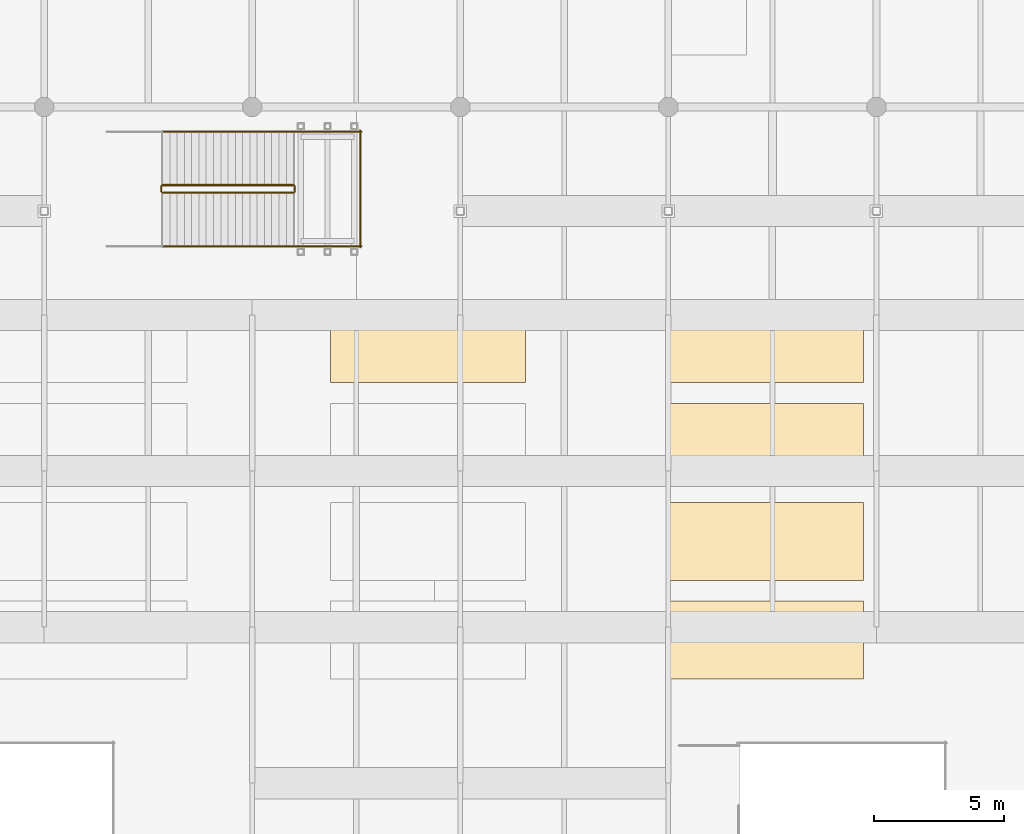
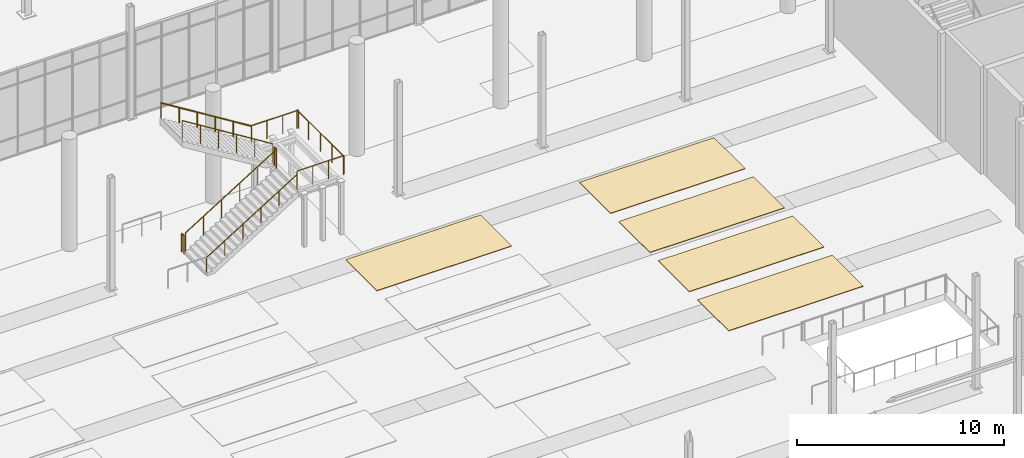
# One storey, part 135 of 140: 9 railings, 5 coverings.
"""IFC4 building model written with IfcOpenShell, lengths in metres."""

from ifc_helpers import new_model, si_unit, direction, frame, origin, origin_2d, place, context, subcontext, project, spatial, polyline, circle, outline, extrude, material, layer, layer_set, type_object, element, save


model = new_model("IFC4")

# Units and contexts
model_context = context("Model", 3, precision=1e-05, world=origin(), true_north=direction((0.0, 1.0)))
body_context = subcontext(model_context, "Body", "Model", "MODEL_VIEW")
ifc_project = project(units=[si_unit("LENGTHUNIT", "METRE"), si_unit("AREAUNIT", "SQUARE_METRE"), si_unit("VOLUMEUNIT", "CUBIC_METRE"), si_unit("PLANEANGLEUNIT", "RADIAN"), si_unit("MASSUNIT", "GRAM", prefix="KILO")], contexts=[model_context])

# Site, building, storey
site_placement = place(None, origin())
site = spatial("IfcSite", under=ifc_project, at=site_placement, CompositionType="ELEMENT")
building_placement = place(site_placement, origin())
building = spatial("IfcBuilding", under=site, at=building_placement, Name="Verrall Gate Interchange", CompositionType="ELEMENT")
storey_placement = place(building_placement, origin())
storey = spatial("IfcBuildingStorey", under=building, at=storey_placement, Name="L01", CompositionType="ELEMENT", Elevation=0.0)

# Coverings
ifc_material_1 = material(Name="Polished Alberta Aggregate Epoxy Terrazzo Flooring", Category="concrete")
ifc_layer = layer(ifc_material_1, 0.030029296875)
ifc_layer_set = layer_set([ifc_layer], Name="Polished Alberta Aggregate Epoxy Terrazzo Flooring")
covering_type = type_object("IfcCoveringType", Name="FLR-01 Polished Alberta Aggregate Terrazzo Flooring", PredefinedType="FLOORING", material=ifc_layer_set)
covering_1_placement = place(storey_placement, origin())
element("IfcCovering", 1, at=covering_1_placement, inside=storey, type_object=covering_type, Name="Grand Concourse Terrazzo Medallion Bay 04", PredefinedType="FLOORING", context=body_context, shape_type="SweptSolid", body=[
    extrude(outline(polyline([(84.0, 26.0), (91.5, 26.0), (91.5, 29.0), (84.0, 29.0), (84.0, 26.0)])), origin(), (0.0, 0.0, 1.0), 0.030029296875),
])
covering_2_placement = place(storey_placement, origin())
element("IfcCovering", 2, at=covering_2_placement, inside=storey, type_object=covering_type, Name="Grand Concourse Terrazzo Medallion Bay 08", PredefinedType="FLOORING", context=body_context, shape_type="SweptSolid", body=[
    extrude(outline(polyline([(84.0, 29.800048828125), (91.5, 29.800048828125), (91.5, 32.800048828125), (84.0, 32.800048828125), (84.0, 29.800048828125)])), origin(), (0.0, 0.0, 1.0), 0.030029296875),
])
covering_3_placement = place(storey_placement, origin())
element("IfcCovering", 3, at=covering_3_placement, inside=storey, type_object=covering_type, Name="Grand Concourse Terrazzo Medallion Bay 12", PredefinedType="FLOORING", context=body_context, shape_type="SweptSolid", body=[
    extrude(outline(polyline([(84.0, 33.60009765625), (91.5, 33.60009765625), (91.5, 36.60009765625), (84.0, 36.60009765625), (84.0, 33.60009765625)])), origin(), (0.0, 0.0, 1.0), 0.030029296875),
])
covering_4_placement = place(storey_placement, origin())
element("IfcCovering", 4, at=covering_4_placement, inside=storey, type_object=covering_type, Name="Grand Concourse Terrazzo Medallion Bay 15", PredefinedType="FLOORING", context=body_context, shape_type="SweptSolid", body=[
    extrude(outline(polyline([(71.0, 37.39990234375), (78.5, 37.39990234375), (78.5, 40.39990234375), (71.0, 40.39990234375), (71.0, 37.39990234375)])), origin(), (0.0, 0.0, 1.0), 0.030029296875),
])
covering_5_placement = place(storey_placement, origin())
element("IfcCovering", 5, at=covering_5_placement, inside=storey, type_object=covering_type, Name="Grand Concourse Terrazzo Medallion Bay 16", PredefinedType="FLOORING", context=body_context, shape_type="SweptSolid", body=[
    extrude(outline(polyline([(84.0, 37.39990234375), (91.5, 37.39990234375), (91.5, 40.39990234375), (84.0, 40.39990234375), (84.0, 37.39990234375)])), origin(), (0.0, 0.0, 1.0), 0.030029296875),
])

# Railings
ifc_material_2 = material(Name="Brushed Stainless-Steel Guardrail and Handrail System", Category="steel")
railing_type_1 = type_object("IfcRailingType", Name="GR-02 Interior Atrium and Stair Guardrail 1100", PredefinedType="GUARDRAIL", material=ifc_material_2)
railing_1_placement = place(storey_placement, frame((64.550048828125, 44.699951171875, 0.173583984375)))
element("IfcRailing", 6, at=railing_1_placement, inside=storey, type_object=railing_type_1, Name="L01 ST-12 stair guard 1", PredefinedType="GUARDRAIL", context=body_context, shape_type="SweptSolid", body=[
    extrude(circle(Radius=0.02392578125, at=origin_2d()), frame((0.0, 0.0, 1.076171875), z_axis=(0.849778785312, 0.0, 0.527139465448), x_axis=(0.0, 1.0, 0.0)), (0.0, 0.0, 1.0), 5.930908203125),
    extrude(circle(Radius=0.02099609375, at=origin_2d()), origin(), (0.0, 0.0, 1.0), 1.052001953125),
    extrude(circle(Radius=0.02099609375, at=origin_2d()), frame((1.008056640625, 0.0, 0.625244140625)), (0.0, 0.0, 1.0), 1.052001953125),
    extrude(circle(Radius=0.02099609375, at=origin_2d()), frame((2.01611328125, 0.0, 1.25048828125)), (0.0, 0.0, 1.0), 1.052001953125),
    extrude(circle(Radius=0.02099609375, at=origin_2d()), frame((3.02392578125, 0.0, 1.8759765625)), (0.0, 0.0, 1.0), 1.052001953125),
    extrude(circle(Radius=0.02099609375, at=origin_2d()), frame((4.031982421875, 0.0, 2.501220703125)), (0.0, 0.0, 1.0), 1.052001953125),
    extrude(circle(Radius=0.02099609375, at=origin_2d()), frame((5.0400390625, 0.0, 3.12646484375)), (0.0, 0.0, 1.0), 1.052001953125),
])
railing_2_placement = place(storey_placement, frame((69.639892578125, 44.75, 3.300048828125)))
element("IfcRailing", 7, at=railing_2_placement, inside=storey, type_object=railing_type_1, Name="L01 ST-12 stair guard 2", PredefinedType="GUARDRAIL", context=body_context, shape_type="SweptSolid", body=[
    extrude(circle(Radius=0.02392578125, at=origin_2d()), frame((0.0, 0.0, 1.076171875), z_axis=(0.0, 1.0, 0.0), x_axis=(-1.0, 0.0, 0.0)), (0.0, 0.0, 1.0), 0.199951171875),
    extrude(circle(Radius=0.02099609375, at=origin_2d()), origin(), (0.0, 0.0, 1.0), 1.052001953125),
    extrude(circle(Radius=0.02099609375, at=origin_2d()), frame((0.0, 0.199951171875, 0.0)), (0.0, 0.0, 1.0), 1.052001953125),
])
for number, where, name in (
    (8, (69.590087890625, 42.64990234375, 3.300048828125), "L01 ST-12 stair guard 3"),
    (9, (69.590087890625, 47.050048828125, 3.300048828125), "L01 ST-12 stair guard 4"),
):
    element("IfcRailing", number, at=place(storey_placement, frame(where)), inside=storey, type_object=railing_type_1, Name=name, PredefinedType="GUARDRAIL", context=body_context, shape_type="SweptSolid", body=[
        extrude(circle(Radius=0.02392578125, at=origin_2d()), frame((0.0, 0.0, 1.076171875), z_axis=(1.0, 0.0, 0.0), x_axis=(0.0, 1.0, 0.0)), (0.0, 0.0, 1.0), 2.60986328125),
        extrude(circle(Radius=0.02099609375, at=origin_2d()), origin(), (0.0, 0.0, 1.0), 1.052001953125),
        extrude(circle(Radius=0.02099609375, at=origin_2d()), frame((0.869873046875, 0.0, 0.0)), (0.0, 0.0, 1.0), 1.052001953125),
        extrude(circle(Radius=0.02099609375, at=origin_2d()), frame((1.739990234375, 0.0, 0.0)), (0.0, 0.0, 1.0), 1.052001953125),
        extrude(circle(Radius=0.02099609375, at=origin_2d()), frame((2.60986328125, 0.0, 0.0)), (0.0, 0.0, 1.0), 1.052001953125),
    ])
railing_3_placement = place(storey_placement, frame((72.14990234375, 42.60009765625, 3.300048828125)))
element("IfcRailing", 10, at=railing_3_placement, inside=storey, type_object=railing_type_1, Name="L01 ST-12 stair guard 5", PredefinedType="GUARDRAIL", context=body_context, shape_type="SweptSolid", body=[
    extrude(circle(Radius=0.02392578125, at=origin_2d()), frame((0.0, 0.0, 1.076171875), z_axis=(0.0, 1.0, 0.0), x_axis=(-1.0, 0.0, 0.0)), (0.0, 0.0, 1.0), 4.5),
    extrude(circle(Radius=0.02099609375, at=origin_2d()), origin(), (0.0, 0.0, 1.0), 1.052001953125),
    extrude(circle(Radius=0.02099609375, at=origin_2d()), frame((0.0, 1.125, 0.0)), (0.0, 0.0, 1.0), 1.052001953125),
    extrude(circle(Radius=0.02099609375, at=origin_2d()), frame((0.0, 2.25, 0.0)), (0.0, 0.0, 1.0), 1.052001953125),
    extrude(circle(Radius=0.02099609375, at=origin_2d()), frame((0.0, 3.375, 0.0)), (0.0, 0.0, 1.0), 1.052001953125),
    extrude(circle(Radius=0.02099609375, at=origin_2d()), frame((0.0, 4.5, 0.0)), (0.0, 0.0, 1.0), 1.052001953125),
])
railing_4_placement = place(storey_placement, frame((69.590087890625, 45.0, 3.4736328125)))
element("IfcRailing", 11, at=railing_4_placement, inside=storey, type_object=railing_type_1, Name="L01 ST-12 stair guard 6", PredefinedType="GUARDRAIL", context=body_context, shape_type="SweptSolid", body=[
    extrude(circle(Radius=0.02392578125, at=origin_2d()), frame((0.0, 0.0, 1.076171875), z_axis=(-0.849778785312, 0.0, 0.527139465448), x_axis=(0.0, -1.0, 0.0)), (0.0, 0.0, 1.0), 5.930908203125),
    extrude(circle(Radius=0.02099609375, at=origin_2d()), origin(), (0.0, 0.0, 1.0), 1.052001953125),
    extrude(circle(Radius=0.02099609375, at=origin_2d()), frame((-1.008056640625, 0.0, 0.625244140625)), (0.0, 0.0, 1.0), 1.052001953125),
    extrude(circle(Radius=0.02099609375, at=origin_2d()), frame((-2.01611328125, 0.0, 1.25048828125)), (0.0, 0.0, 1.0), 1.052001953125),
    extrude(circle(Radius=0.02099609375, at=origin_2d()), frame((-3.02392578125, 0.0, 1.8759765625)), (0.0, 0.0, 1.0), 1.052001953125),
    extrude(circle(Radius=0.02099609375, at=origin_2d()), frame((-4.031982421875, 0.0, 2.501220703125)), (0.0, 0.0, 1.0), 1.052001953125),
    extrude(circle(Radius=0.02099609375, at=origin_2d()), frame((-5.0400390625, 0.0, 3.12646484375)), (0.0, 0.0, 1.0), 1.052001953125),
])
railing_5_placement = place(storey_placement, frame((64.5, 44.75, 0.0)))
element("IfcRailing", 12, at=railing_5_placement, inside=storey, type_object=railing_type_1, Name="L01 ST-12 stair guard 7", PredefinedType="GUARDRAIL", context=body_context, shape_type="SweptSolid", body=[
    extrude(circle(Radius=0.02392578125, at=origin_2d()), frame((0.0, 0.0, 1.076171875), z_axis=(0.0, 1.0, 0.0), x_axis=(-1.0, 0.0, 0.0)), (0.0, 0.0, 1.0), 0.199951171875),
    extrude(circle(Radius=0.02099609375, at=origin_2d()), origin(), (0.0, 0.0, 1.0), 1.052001953125),
    extrude(circle(Radius=0.02099609375, at=origin_2d()), frame((0.0, 0.199951171875, 0.0)), (0.0, 0.0, 1.0), 1.052001953125),
])
ifc_material_3 = material(Name="Brushed Stainless-Steel Guardrail and Handrail System", Category="steel")
railing_type_2 = type_object("IfcRailingType", Name="HR-01 Stair and Ramp Pitch-Line Handrail 920", PredefinedType="HANDRAIL", material=ifc_material_3)
railing_6_placement = place(storey_placement, frame((64.550048828125, 42.64990234375, 0.173583984375)))
element("IfcRailing", 13, at=railing_6_placement, inside=storey, type_object=railing_type_2, Name="L01 ST-12 stair handrail 1", PredefinedType="HANDRAIL", context=body_context, shape_type="SweptSolid", body=[
    extrude(circle(Radius=0.02392578125, at=origin_2d()), frame((0.0, 0.0, 0.8759765625), z_axis=(0.849778785312, 0.0, 0.527139465448), x_axis=(0.0, 1.0, 0.0)), (0.0, 0.0, 1.0), 5.930908203125),
    extrude(circle(Radius=0.02099609375, at=origin_2d()), origin(), (0.0, 0.0, 1.0), 0.851806640625),
    extrude(circle(Radius=0.02099609375, at=origin_2d()), frame((1.008056640625, 0.0, 0.625244140625)), (0.0, 0.0, 1.0), 0.851806640625),
    extrude(circle(Radius=0.02099609375, at=origin_2d()), frame((2.01611328125, 0.0, 1.25048828125)), (0.0, 0.0, 1.0), 0.851806640625),
    extrude(circle(Radius=0.02099609375, at=origin_2d()), frame((3.02392578125, 0.0, 1.8759765625)), (0.0, 0.0, 1.0), 0.851806640625),
    extrude(circle(Radius=0.02099609375, at=origin_2d()), frame((4.031982421875, 0.0, 2.501220703125)), (0.0, 0.0, 1.0), 0.851806640625),
    extrude(circle(Radius=0.02099609375, at=origin_2d()), frame((5.0400390625, 0.0, 3.12646484375)), (0.0, 0.0, 1.0), 0.851806640625),
])
railing_7_placement = place(storey_placement, frame((69.590087890625, 47.050048828125, 3.4736328125)))
element("IfcRailing", 14, at=railing_7_placement, inside=storey, type_object=railing_type_2, Name="L01 ST-12 stair handrail 2", PredefinedType="HANDRAIL", context=body_context, shape_type="SweptSolid", body=[
    extrude(circle(Radius=0.02392578125, at=origin_2d()), frame((0.0, 0.0, 0.8759765625), z_axis=(-0.849778785312, 0.0, 0.527139465448), x_axis=(0.0, -1.0, 0.0)), (0.0, 0.0, 1.0), 5.930908203125),
    extrude(circle(Radius=0.02099609375, at=origin_2d()), origin(), (0.0, 0.0, 1.0), 0.851806640625),
    extrude(circle(Radius=0.02099609375, at=origin_2d()), frame((-1.008056640625, 0.0, 0.625244140625)), (0.0, 0.0, 1.0), 0.851806640625),
    extrude(circle(Radius=0.02099609375, at=origin_2d()), frame((-2.01611328125, 0.0, 1.25048828125)), (0.0, 0.0, 1.0), 0.851806640625),
    extrude(circle(Radius=0.02099609375, at=origin_2d()), frame((-3.02392578125, 0.0, 1.8759765625)), (0.0, 0.0, 1.0), 0.851806640625),
    extrude(circle(Radius=0.02099609375, at=origin_2d()), frame((-4.031982421875, 0.0, 2.501220703125)), (0.0, 0.0, 1.0), 0.851806640625),
    extrude(circle(Radius=0.02099609375, at=origin_2d()), frame((-5.0400390625, 0.0, 3.12646484375)), (0.0, 0.0, 1.0), 0.851806640625),
])

save(model, "model.ifc")
